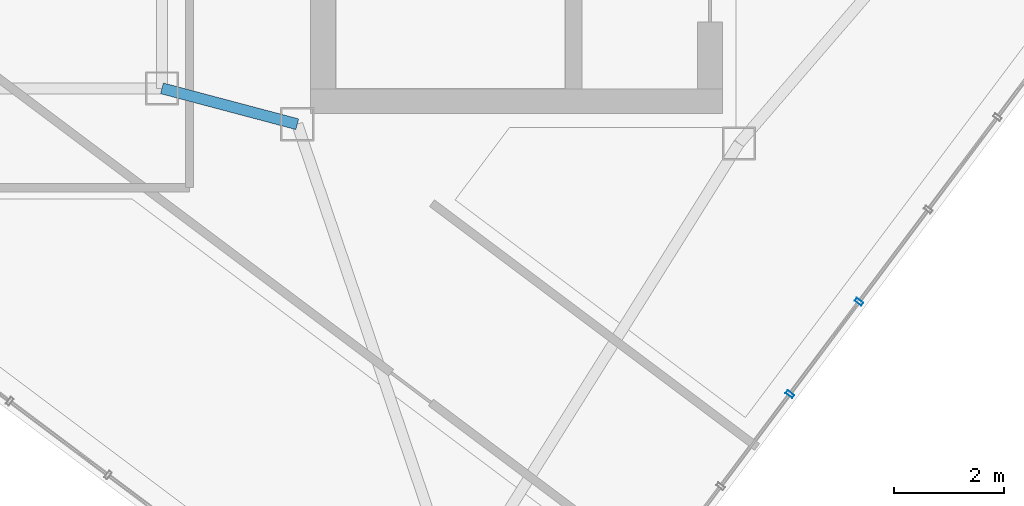
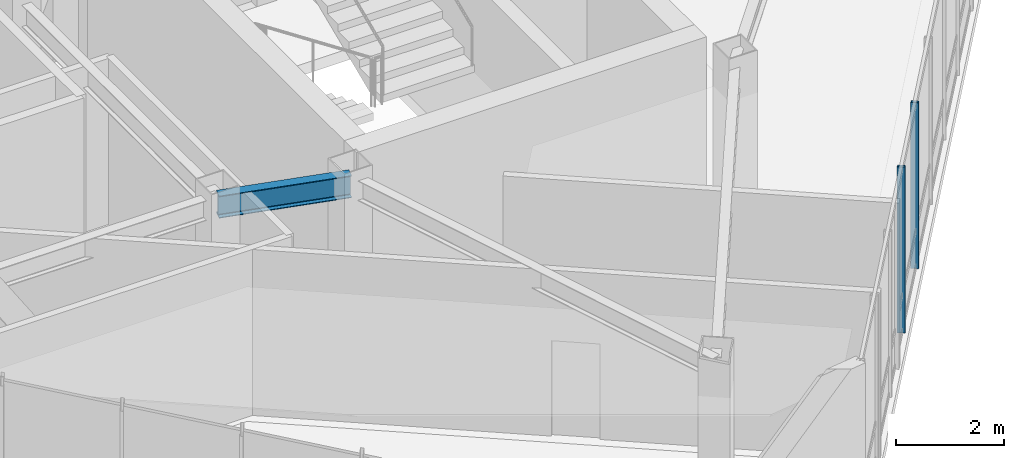
# One storey, part 8 of 31: 2 members, 1 beam, 1 element without a shape of its own.
"""IFC4 building model written with IfcOpenShell, lengths in metres."""

from ifc_helpers import new_model, si_unit, direction, frame, origin, origin_2d, place, context, subcontext, project, spatial, hollow_rectangle, i_section, extrude, material, layer, layer_set, material_profile, profile_set, type_object, element, aggregate, save


model = new_model("IFC4")

# Units and contexts
model_context = context("Model", 3, precision=1e-05, world=origin(), true_north=direction((0.0, 1.0)))
body_context = subcontext(model_context, "Body", "Model", "MODEL_VIEW")
ifc_project = project(units=[si_unit("LENGTHUNIT", "METRE"), si_unit("AREAUNIT", "SQUARE_METRE"), si_unit("VOLUMEUNIT", "CUBIC_METRE"), si_unit("PLANEANGLEUNIT", "RADIAN"), si_unit("MASSUNIT", "GRAM", prefix="KILO")], contexts=[model_context])

# Site, building, storey
site_placement = place(None, origin())
site = spatial("IfcSite", under=ifc_project, at=site_placement, CompositionType="ELEMENT")
building_placement = place(site_placement, origin())
building = spatial("IfcBuilding", under=site, at=building_placement, Name="Hatsunagi Terrace Concourse", CompositionType="ELEMENT")
storey_placement = place(building_placement, frame((0.0, 0.0, 269.949951171875)))
storey = spatial("IfcBuildingStorey", under=building, at=storey_placement, Name="L71", CompositionType="ELEMENT", Elevation=269.949951171875)

# Beam
ifc_material_1 = material(Name="Steel SN490B", Category="steel")
ifc_material_profile_1 = material_profile(ifc_material_1, i_section(OverallWidth=0.199951171875, OverallDepth=0.5, WebThickness=0.010009765625, FlangeThickness=0.01611328125, FilletRadius=0.01611328125, at=origin_2d()), Name="H-500x200x10x16")
ifc_profile_set_1 = profile_set([ifc_material_profile_1], Name="Steel SN490B")
beam_type = type_object("IfcBeamType", Name="CrownFloorGirder_H_500x200", PredefinedType="BEAM", material=ifc_profile_set_1)
beam_placement = place(storey_placement, frame((33.35009765625, 25.199951171875, 3.5), z_axis=(0.966569840116, -0.256403479262, 0.0), x_axis=(0.256403479262, 0.966569840116, 0.0)))
element("IfcBeam", 1, at=beam_placement, inside=storey, type_object=beam_type, Name="Beam G-07 BM-L71-K2CB", PredefinedType="BEAM", context=body_context, shape_type="SweptSolid", body=[
    extrude(i_section(OverallWidth=0.199951171875, OverallDepth=0.5, WebThickness=0.010009765625, FlangeThickness=0.01611328125, FilletRadius=0.01611328125, at=origin_2d()), origin(), (0.0, 0.0, 1.0), 2.53466796875),
])

# Curtain wall, members
ifc_material_2 = material(Name="Anodised Aluminium Alloy 6063-T5", Category="aluminium")
ifc_layer = layer(ifc_material_2, 0.199951171875)
ifc_layer_set = layer_set([ifc_layer], Name="CrownWintergarden_CW06")
curtain_wall_type = type_object("IfcCurtainWallType", Name="CrownWintergarden_CW06", PredefinedType="NOTDEFINED", material=ifc_layer_set)
curtain_wall_placement = place(storey_placement, origin())
curtain_wall = element("IfcCurtainWall", 2, at=curtain_wall_placement, inside=storey, type_object=curtain_wall_type, Name="Unitised Curtain Wall CW-06 CW-L71-03", PredefinedType="NOTDEFINED")
ifc_material_3 = material(Name="Anodised Aluminium Alloy 6063-T5", Category="aluminium")
ifc_material_profile_2 = material_profile(ifc_material_3, hollow_rectangle(XDim=0.06494140625, YDim=0.14990234375, WallThickness=0.00390625, at=origin_2d()), Name="ALU-MUL-150x65x4")
ifc_profile_set_2 = profile_set([ifc_material_profile_2], Name="Anodised Aluminium Alloy 6063-T5")
member_type = type_object("IfcMemberType", Name="CurtainWallMullion_Crown_150x65", PredefinedType="MULLION", material=ifc_profile_set_2)
member_1_placement = place(storey_placement, frame((45.97509765625, 21.3330078125, 0.0), z_axis=(0.0, 0.0, 1.0), x_axis=(-0.599969314634, -0.800023013105, 0.0)))
member_1 = element("IfcMember", 3, at=member_1_placement, type_object=member_type, Name="Curtain Wall Mullion MUL-03", PredefinedType="MULLION", context=body_context, shape_type="SweptSolid", body=[
    extrude(hollow_rectangle(XDim=0.06494140625, YDim=0.14990234375, WallThickness=0.00390625, at=origin_2d()), origin(), (0.0, 0.0, 1.0), 3.739990234375),
])
member_2_placement = place(storey_placement, frame((44.721923828125, 19.662109375, 0.0), z_axis=(0.0, 0.0, 1.0), x_axis=(-0.599969314634, -0.800023013105, 0.0)))
member_2 = element("IfcMember", 4, at=member_2_placement, type_object=member_type, Name="Curtain Wall Mullion MUL-03", PredefinedType="MULLION", context=body_context, shape_type="SweptSolid", body=[
    extrude(hollow_rectangle(XDim=0.06494140625, YDim=0.14990234375, WallThickness=0.00390625, at=origin_2d()), origin(), (0.0, 0.0, 1.0), 3.739990234375),
])
aggregate(curtain_wall, [member_1, member_2])

save(model, "model.ifc")
